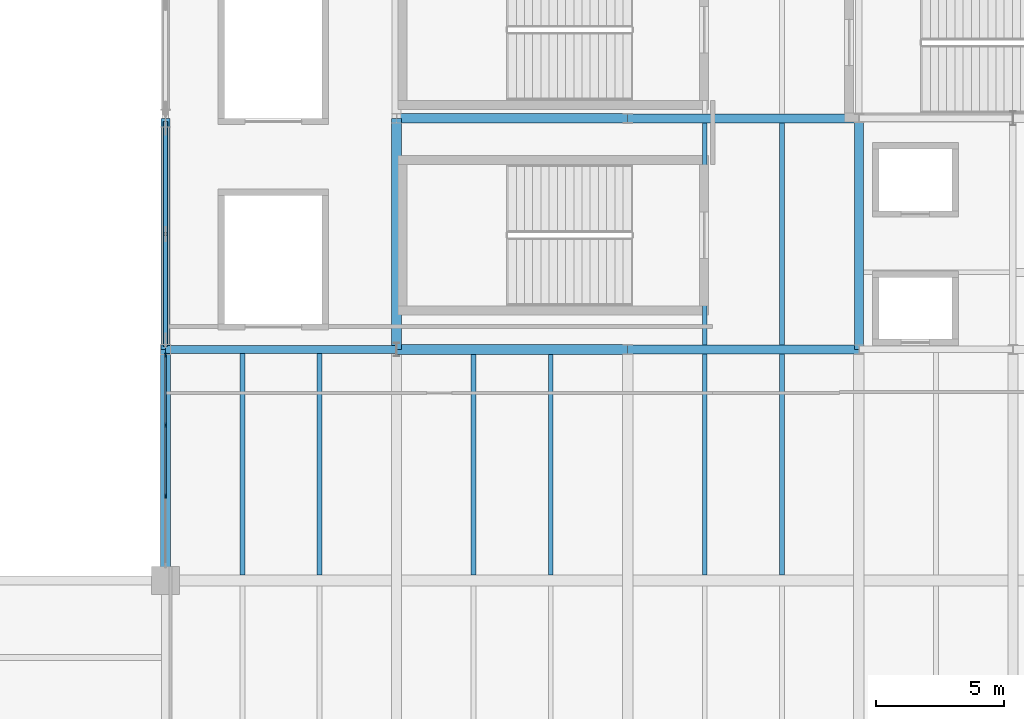
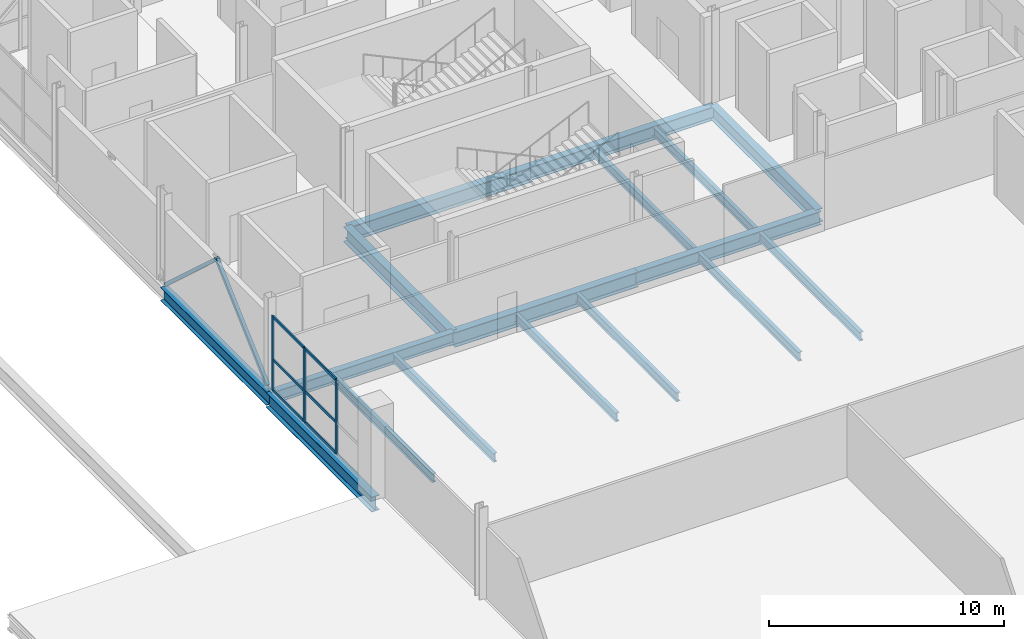
# One storey, part 14 of 50: 17 beams, 11 members, 1 element without a shape of its own.
"""IFC4 building model written with IfcOpenShell, lengths in metres."""

from ifc_helpers import new_model, si_unit, direction, frame, origin, origin_2d, place, context, subcontext, project, spatial, rectangle, hollow_rectangle, i_section, extrude, material, layer, layer_set, material_profile, profile_set, type_object, element, aggregate, save


model = new_model("IFC4")

# Units and contexts
model_context = context("Model", 3, precision=1e-05, world=origin(), true_north=direction((0.0, 1.0)))
body_context = subcontext(model_context, "Body", "Model", "MODEL_VIEW")
ifc_project = project(units=[si_unit("LENGTHUNIT", "METRE"), si_unit("AREAUNIT", "SQUARE_METRE"), si_unit("VOLUMEUNIT", "CUBIC_METRE"), si_unit("PLANEANGLEUNIT", "RADIAN"), si_unit("MASSUNIT", "GRAM", prefix="KILO")], contexts=[model_context])

# Site, building, storey
site_placement = place(None, origin())
site = spatial("IfcSite", under=ifc_project, at=site_placement, CompositionType="ELEMENT")
building_placement = place(site_placement, origin())
building = spatial("IfcBuilding", under=site, at=building_placement, Name="Qamarlyn Nura Convention Centre", CompositionType="ELEMENT")
storey_placement = place(building_placement, frame((0.0, 0.0, 20.39990234375)))
storey = spatial("IfcBuildingStorey", under=building, at=storey_placement, Name="L04", CompositionType="ELEMENT", Elevation=20.39990234375)

# Beams
ifc_material_1 = material(Name="Steel ASTM A992", Category="steel")
ifc_material_profile_1 = material_profile(ifc_material_1, i_section(OverallWidth=0.323974609375, OverallDepth=0.611083984375, WebThickness=0.0126953125, FlangeThickness=0.01904296875, FilletRadius=0.01611328125, at=origin_2d()), Name="W610X155")
ifc_profile_set_1 = profile_set([ifc_material_profile_1], Name="Steel ASTM A992")
beam_type_1 = type_object("IfcBeamType", Name="BM-GIRD-610", PredefinedType="BEAM", material=ifc_profile_set_1)
beam_placement = place(storey_placement, frame((153.0, 54.0, -0.50537109375), z_axis=(1.0, 0.0, 0.0), x_axis=(0.0, 1.0, 0.0)))
element("IfcBeam", 1, at=beam_placement, inside=storey, type_object=beam_type_1, Name="L04 girder G 13-14", PredefinedType="BEAM", context=body_context, shape_type="SweptSolid", body=[
    extrude(i_section(OverallWidth=0.323974609375, OverallDepth=0.611083984375, WebThickness=0.0126953125, FlangeThickness=0.01904296875, FilletRadius=0.01611328125, at=origin_2d()), origin(), (0.0, 0.0, 1.0), 9.0),
])
ifc_material_profile_2 = material_profile(ifc_material_1, i_section(OverallWidth=0.35498046875, OverallDepth=0.695068359375, WebThickness=0.015380859375, FlangeThickness=0.02490234375, FilletRadius=0.01806640625, at=origin_2d()), Name="W690X217")
ifc_profile_set_2 = profile_set([ifc_material_profile_2], Name="Steel ASTM A992")
beam_type_2 = type_object("IfcBeamType", Name="BM-GIRD-690A", PredefinedType="BEAM", material=ifc_profile_set_2)
for number, where, z_axis, x_axis, name in (
    (2, (171.0, 54.0, -0.54736328125), (1.0, 0.0, 0.0), (0.0, 1.0, 0.0), "L04 girder G 15-16"),
    (3, (171.0, 63.0, -0.54736328125), (1.0, 0.0, 0.0), (0.0, 1.0, 0.0), "L04 girder H 15-16"),
    (4, (153.0, 54.0, -0.54736328125), (0.0, 1.0, 0.0), (-1.0, 0.0, 0.0), "L04 girder 13 G-H"),
    (5, (180.0, 54.0, -0.54736328125), (0.0, 1.0, 0.0), (-1.0, 0.0, 0.0), "L04 girder 16 G-H"),
):
    element("IfcBeam", number, at=place(storey_placement, frame(where, z_axis=z_axis, x_axis=x_axis)), inside=storey, type_object=beam_type_2, Name=name, PredefinedType="BEAM", context=body_context, shape_type="SweptSolid", body=[
        extrude(i_section(OverallWidth=0.35498046875, OverallDepth=0.695068359375, WebThickness=0.015380859375, FlangeThickness=0.02490234375, FilletRadius=0.01806640625, at=origin_2d()), origin(), (0.0, 0.0, 1.0), 9.0),
    ])
ifc_material_profile_3 = material_profile(ifc_material_1, i_section(OverallWidth=0.381103515625, OverallDepth=0.77294921875, WebThickness=0.0166015625, FlangeThickness=0.027587890625, FilletRadius=0.02001953125, at=origin_2d()), Name="W760X257")
ifc_profile_set_3 = profile_set([ifc_material_profile_3], Name="Steel ASTM A992")
beam_type_3 = type_object("IfcBeamType", Name="BM-GIRD-760", PredefinedType="BEAM", material=ifc_profile_set_3)
for number, where, z_axis, x_axis, name in (
    (6, (162.0, 54.0, -0.58642578125), (1.0, 0.0, 0.0), (0.0, 1.0, 0.0), "L04 girder G 14-15"),
    (7, (162.0, 63.0, -0.58642578125), (1.0, 0.0, 0.0), (0.0, 1.0, 0.0), "L04 girder H 14-15"),
    (8, (153.0, 45.0, -0.58642578125), (0.0, 1.0, 0.0), (-1.0, 0.0, 0.0), "L04 girder 13 F-G"),
    (9, (162.0, 54.0, -0.58642578125), (0.0, 1.0, 0.0), (-1.0, 0.0, 0.0), "L04 girder 14 G-H"),
):
    element("IfcBeam", number, at=place(storey_placement, frame(where, z_axis=z_axis, x_axis=x_axis)), inside=storey, type_object=beam_type_3, Name=name, PredefinedType="BEAM", context=body_context, shape_type="SweptSolid", body=[
        extrude(i_section(OverallWidth=0.381103515625, OverallDepth=0.77294921875, WebThickness=0.0166015625, FlangeThickness=0.027587890625, FilletRadius=0.02001953125, at=origin_2d()), origin(), (0.0, 0.0, 1.0), 9.0),
    ])
ifc_material_profile_4 = material_profile(ifc_material_1, i_section(OverallWidth=0.18994140625, OverallDepth=0.45703125, WebThickness=0.009033203125, FlangeThickness=0.014404296875, FilletRadius=0.012939453125, at=origin_2d()), Name="W460X74")
ifc_profile_set_4 = profile_set([ifc_material_profile_4], Name="Steel ASTM A992")
beam_type_4 = type_object("IfcBeamType", Name="BM-JOIST-460", PredefinedType="JOIST", material=ifc_profile_set_4)
for number, where, z_axis, x_axis, name in (
    (10, (156.0, 45.208984375, -0.428466796875), (0.0, 1.0, 0.0), (-1.0, 0.0, 0.0), "L04 secondary joist 13-14/F-G-14"),
    (11, (159.0, 45.208984375, -0.428466796875), (0.0, 1.0, 0.0), (-1.0, 0.0, 0.0), "L04 secondary joist 13-14/F-G-15"),
):
    element("IfcBeam", number, at=place(storey_placement, frame(where, z_axis=z_axis, x_axis=x_axis)), inside=storey, type_object=beam_type_4, Name=name, PredefinedType="JOIST", context=body_context, shape_type="SweptSolid", body=[
        extrude(i_section(OverallWidth=0.18994140625, OverallDepth=0.45703125, WebThickness=0.009033203125, FlangeThickness=0.014404296875, FilletRadius=0.012939453125, at=origin_2d()), origin(), (0.0, 0.0, 1.0), 8.62890625),
    ])
for number, where, z_axis, x_axis, name in (
    (12, (165.0, 45.208984375, -0.428466796875), (0.0, 1.0, 0.0), (-1.0, 0.0, 0.0), "L04 secondary joist 14-15/F-G-30"),
    (13, (168.0, 45.208984375, -0.428466796875), (0.0, 1.0, 0.0), (-1.0, 0.0, 0.0), "L04 secondary joist 14-15/F-G-31"),
):
    element("IfcBeam", number, at=place(storey_placement, frame(where, z_axis=z_axis, x_axis=x_axis)), inside=storey, type_object=beam_type_4, Name=name, PredefinedType="JOIST", context=body_context, shape_type="SweptSolid", body=[
        extrude(i_section(OverallWidth=0.18994140625, OverallDepth=0.45703125, WebThickness=0.009033203125, FlangeThickness=0.014404296875, FilletRadius=0.012939453125, at=origin_2d()), origin(), (0.0, 0.0, 1.0), 8.6005859375),
    ])
for number, where, z_axis, x_axis, name in (
    (14, (174.0, 45.208984375, -0.428466796875), (0.0, 1.0, 0.0), (-1.0, 0.0, 0.0), "L04 secondary joist 15-16/F-G-44"),
    (15, (177.0, 45.208984375, -0.428466796875), (0.0, 1.0, 0.0), (-1.0, 0.0, 0.0), "L04 secondary joist 15-16/F-G-45"),
):
    element("IfcBeam", number, at=place(storey_placement, frame(where, z_axis=z_axis, x_axis=x_axis)), inside=storey, type_object=beam_type_4, Name=name, PredefinedType="JOIST", context=body_context, shape_type="SweptSolid", body=[
        extrude(i_section(OverallWidth=0.18994140625, OverallDepth=0.45703125, WebThickness=0.009033203125, FlangeThickness=0.014404296875, FilletRadius=0.012939453125, at=origin_2d()), origin(), (0.0, 0.0, 1.0), 8.613525390625),
    ])
for number, where, z_axis, x_axis, name in (
    (16, (174.0, 54.177490234375, -0.428466796875), (0.0, 1.0, 0.0), (-1.0, 0.0, 0.0), "L04 secondary joist 15-16/G-H-46"),
    (17, (177.0, 54.177490234375, -0.428466796875), (0.0, 1.0, 0.0), (-1.0, 0.0, 0.0), "L04 secondary joist 15-16/G-H-47"),
):
    element("IfcBeam", number, at=place(storey_placement, frame(where, z_axis=z_axis, x_axis=x_axis)), inside=storey, type_object=beam_type_4, Name=name, PredefinedType="JOIST", context=body_context, shape_type="SweptSolid", body=[
        extrude(i_section(OverallWidth=0.18994140625, OverallDepth=0.45703125, WebThickness=0.009033203125, FlangeThickness=0.014404296875, FilletRadius=0.012939453125, at=origin_2d()), origin(), (0.0, 0.0, 1.0), 8.64501953125),
    ])

# Members
ifc_material_2 = material(Name="Steel ASTM A500 Grade C", Category="steel")
ifc_material_profile_5 = material_profile(ifc_material_2, hollow_rectangle(XDim=0.179931640625, YDim=0.179931640625, WallThickness=0.008056640625, InnerFilletRadius=0.008056640625, OuterFilletRadius=0.01611328125, at=origin_2d()), Name="HSS180X180X8")
ifc_profile_set_5 = profile_set([ifc_material_profile_5], Name="Steel ASTM A500 Grade C")
member_type_1 = type_object("IfcMemberType", Name="CBF-BRC-180", PredefinedType="BRACE", material=ifc_profile_set_5)
for number, where, z_axis, x_axis, name in (
    (18, (153.0, 54.179931640625, 0.0), (0.0, 0.738076289135, 0.674717267762), (-1.0, 0.0, 0.0), "L04 SCBF chevron brace CBF-E3L"),
    (19, (153.0, 62.820068359375, 0.0), (0.0, -0.738076289135, 0.674717267762), (1.0, 0.0, 0.0), "L04 SCBF chevron brace CBF-E3R"),
):
    element("IfcMember", number, at=place(storey_placement, frame(where, z_axis=z_axis, x_axis=x_axis)), inside=storey, type_object=member_type_1, Name=name, PredefinedType="BRACE", context=body_context, shape_type="SweptSolid", body=[
        extrude(hollow_rectangle(XDim=0.179931640625, YDim=0.179931640625, WallThickness=0.008056640625, InnerFilletRadius=0.008056640625, OuterFilletRadius=0.01611328125, at=origin_2d()), origin(), (0.0, 0.0, 1.0), 5.85302734375),
    ])

# Curtain wall, members
ifc_material_3 = material(Name="Double-silver low-E insulated glass", Category="glass")
ifc_layer = layer(ifc_material_3, 0.179931640625, Name="CW-UNIT-145")
ifc_layer_set = layer_set([ifc_layer], Name="Double-silver low-E insulated glass")
curtain_wall_type = type_object("IfcCurtainWallType", Name="CW-UNIT-145", PredefinedType="NOTDEFINED", material=ifc_layer_set)
curtain_wall_placement = place(storey_placement, origin())
curtain_wall = element("IfcCurtainWall", 20, at=curtain_wall_placement, inside=storey, type_object=curtain_wall_type, Name="L04 unitised curtain wall CRT-45-1", PredefinedType="NOTDEFINED")
ifc_material_4 = material(Name="Champagne-anodised marine aluminium", Category="aluminium")
ifc_material_profile_6 = material_profile(ifc_material_4, rectangle(XDim=0.070068359375, YDim=0.179931640625, at=origin_2d()), Name="ALU MULLION 70x180")
ifc_profile_set_6 = profile_set([ifc_material_profile_6], Name="Champagne-anodised marine aluminium")
member_type_2 = type_object("IfcMemberType", Name="CWM-180", PredefinedType="MULLION", material=ifc_profile_set_6)
member_1_placement = place(storey_placement, frame((153.0, 48.300048828125, 0.0), z_axis=(0.0, 0.0, 1.0), x_axis=(-1.0, 0.0, 0.0)))
member_1 = element("IfcMember", 21, at=member_1_placement, type_object=member_type_2, Name="CW145 mullion 2", PredefinedType="MULLION", context=body_context, shape_type="SweptSolid", body=[
    extrude(rectangle(XDim=0.070068359375, YDim=0.179931640625, at=origin_2d()), origin(), (0.0, 0.0, 1.0), 3.861083984375),
])
member_2_placement = place(storey_placement, frame((153.0, 51.050048828125, 0.0), z_axis=(0.0, 0.0, 1.0), x_axis=(-1.0, 0.0, 0.0)))
member_2 = element("IfcMember", 22, at=member_2_placement, type_object=member_type_2, Name="CW145 mullion 3", PredefinedType="MULLION", context=body_context, shape_type="SweptSolid", body=[
    extrude(rectangle(XDim=0.070068359375, YDim=0.179931640625, at=origin_2d()), origin(), (0.0, 0.0, 1.0), 3.861083984375),
])
member_3_placement = place(storey_placement, frame((153.0, 53.764892578125, 0.0), z_axis=(0.0, 0.0, 1.0), x_axis=(-1.0, 0.0, 0.0)))
member_3 = element("IfcMember", 23, at=member_3_placement, type_object=member_type_2, Name="CW145 mullion 4", PredefinedType="MULLION", context=body_context, shape_type="SweptSolid", body=[
    extrude(rectangle(XDim=0.070068359375, YDim=0.179931640625, at=origin_2d()), origin(), (0.0, 0.0, 1.0), 3.861083984375),
])
ifc_material_profile_7 = material_profile(ifc_material_4, rectangle(XDim=0.070068359375, YDim=0.139892578125, at=origin_2d()), Name="ALU TRANSOM 70x140")
ifc_profile_set_7 = profile_set([ifc_material_profile_7], Name="Champagne-anodised marine aluminium")
member_type_3 = type_object("IfcMemberType", Name="CWT-140", PredefinedType="USERDEFINED", material=ifc_profile_set_7)
member_4_placement = place(storey_placement, frame((153.0, 48.3349609375, 0.03515625), z_axis=(0.0, 1.0, 0.0), x_axis=(-1.0, 0.0, 0.0)))
member_4 = element("IfcMember", 24, at=member_4_placement, type_object=member_type_3, Name="CW145 transom 2.1", ObjectType="TRANSOM", PredefinedType="USERDEFINED", context=body_context, shape_type="SweptSolid", body=[
    extrude(rectangle(XDim=0.070068359375, YDim=0.139892578125, at=origin_2d()), origin(), (0.0, 0.0, 1.0), 2.679931640625),
])
member_5_placement = place(storey_placement, frame((153.0, 48.3349609375, 1.6220703125), z_axis=(0.0, 1.0, 0.0), x_axis=(-1.0, 0.0, 0.0)))
member_5 = element("IfcMember", 25, at=member_5_placement, type_object=member_type_3, Name="CW145 transom 2.2", ObjectType="TRANSOM", PredefinedType="USERDEFINED", context=body_context, shape_type="SweptSolid", body=[
    extrude(rectangle(XDim=0.070068359375, YDim=0.139892578125, at=origin_2d()), origin(), (0.0, 0.0, 1.0), 2.679931640625),
])
member_6_placement = place(storey_placement, frame((153.0, 48.3349609375, 3.826171875), z_axis=(0.0, 1.0, 0.0), x_axis=(-1.0, 0.0, 0.0)))
member_6 = element("IfcMember", 26, at=member_6_placement, type_object=member_type_3, Name="CW145 transom 2.3", ObjectType="TRANSOM", PredefinedType="USERDEFINED", context=body_context, shape_type="SweptSolid", body=[
    extrude(rectangle(XDim=0.070068359375, YDim=0.139892578125, at=origin_2d()), origin(), (0.0, 0.0, 1.0), 2.679931640625),
])
member_7_placement = place(storey_placement, frame((153.0, 51.0849609375, 0.03515625), z_axis=(0.0, 1.0, 0.0), x_axis=(-1.0, 0.0, 0.0)))
member_7 = element("IfcMember", 27, at=member_7_placement, type_object=member_type_3, Name="CW145 transom 3.1", ObjectType="TRANSOM", PredefinedType="USERDEFINED", context=body_context, shape_type="SweptSolid", body=[
    extrude(rectangle(XDim=0.070068359375, YDim=0.139892578125, at=origin_2d()), origin(), (0.0, 0.0, 1.0), 2.64501953125),
])
member_8_placement = place(storey_placement, frame((153.0, 51.0849609375, 1.6220703125), z_axis=(0.0, 1.0, 0.0), x_axis=(-1.0, 0.0, 0.0)))
member_8 = element("IfcMember", 28, at=member_8_placement, type_object=member_type_3, Name="CW145 transom 3.2", ObjectType="TRANSOM", PredefinedType="USERDEFINED", context=body_context, shape_type="SweptSolid", body=[
    extrude(rectangle(XDim=0.070068359375, YDim=0.139892578125, at=origin_2d()), origin(), (0.0, 0.0, 1.0), 2.64501953125),
])
member_9_placement = place(storey_placement, frame((153.0, 51.0849609375, 3.826171875), z_axis=(0.0, 1.0, 0.0), x_axis=(-1.0, 0.0, 0.0)))
member_9 = element("IfcMember", 29, at=member_9_placement, type_object=member_type_3, Name="CW145 transom 3.3", ObjectType="TRANSOM", PredefinedType="USERDEFINED", context=body_context, shape_type="SweptSolid", body=[
    extrude(rectangle(XDim=0.070068359375, YDim=0.139892578125, at=origin_2d()), origin(), (0.0, 0.0, 1.0), 2.64501953125),
])
aggregate(curtain_wall, [member_1, member_2, member_3, member_4, member_5, member_6, member_7, member_8, member_9])

save(model, "model.ifc")
